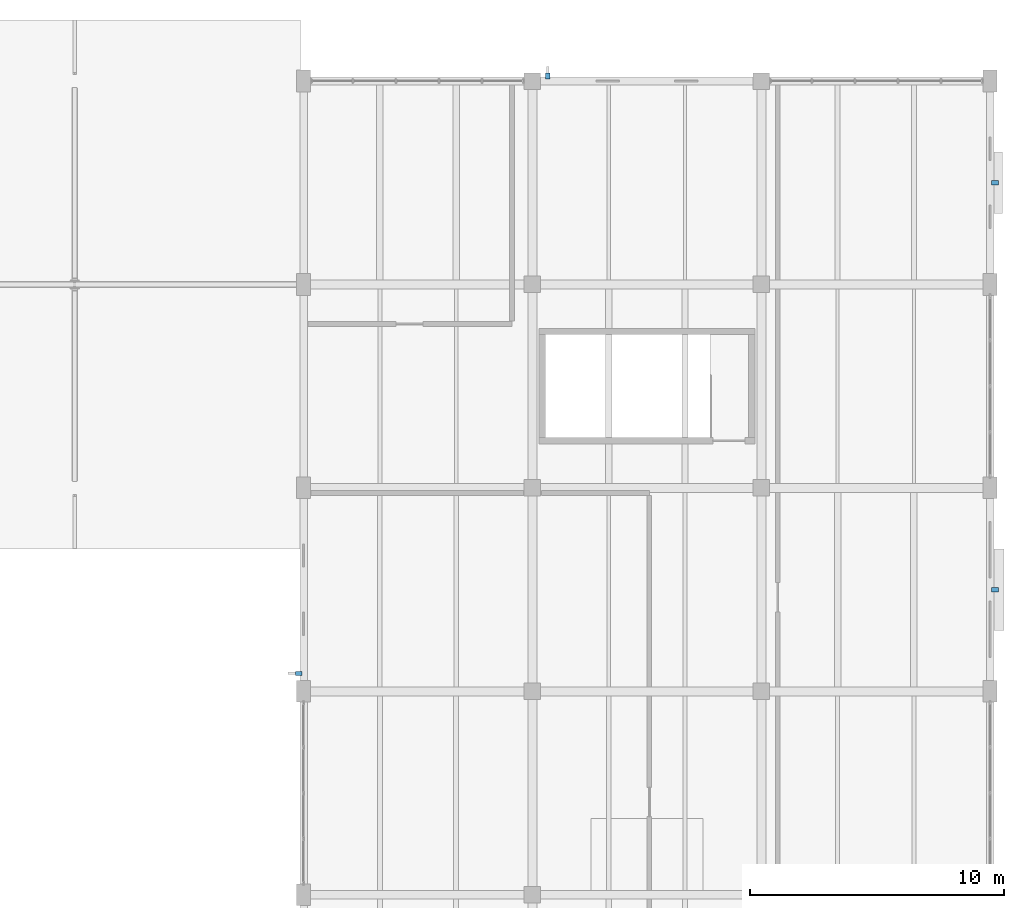
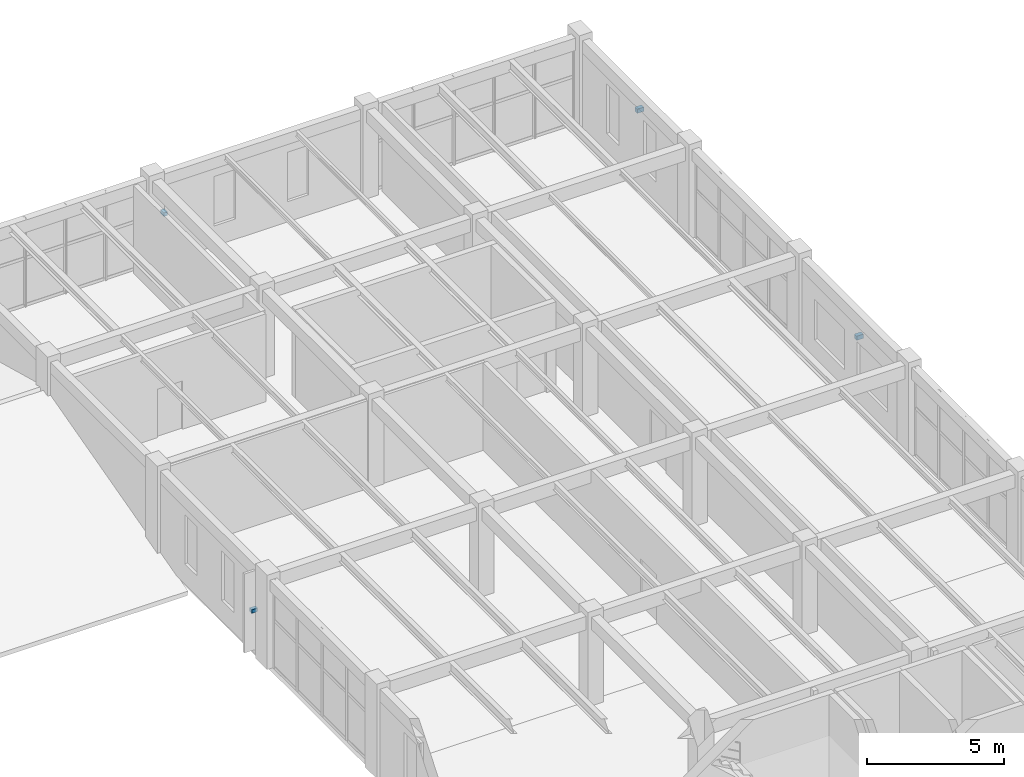
# One storey, part 67 of 71: 4 discrete accessories.
"""IFC4 building model written with IfcOpenShell, lengths in metres."""

from ifc_helpers import new_model, si_unit, derived_unit, direction, frame, origin, origin_2d, place, context, subcontext, project, spatial, rectangle, extrude, material, type_object, element, save


model = new_model("IFC4")

# Units and contexts
model_context = context("Model", 3, precision=1e-05, world=origin(), true_north=direction((0.0, 1.0)))
body_context = subcontext(model_context, "Body", "Model", "MODEL_VIEW")
ifc_project = project(units=[si_unit("LENGTHUNIT", "METRE"), si_unit("AREAUNIT", "SQUARE_METRE"), si_unit("VOLUMEUNIT", "CUBIC_METRE"), si_unit("PLANEANGLEUNIT", "RADIAN"), si_unit("MASSUNIT", "GRAM", prefix="KILO"), derived_unit("THERMALTRANSMITTANCEUNIT", [(si_unit("MASSUNIT", "GRAM", prefix="KILO"), 1), (si_unit("TIMEUNIT", "SECOND"), -3), (si_unit("THERMODYNAMICTEMPERATUREUNIT", "KELVIN"), -1)])], contexts=[model_context])

# Site, building, storey
site_placement = place(None, origin())
site = spatial("IfcSite", under=ifc_project, at=site_placement, CompositionType="ELEMENT")
building_placement = place(site_placement, origin())
building = spatial("IfcBuilding", under=site, at=building_placement, Name="Zhenchuan Archway Interchange", CompositionType="ELEMENT")
storey_placement = place(building_placement, frame((0.0, 0.0, 18.60009765625)))
storey = spatial("IfcBuildingStorey", under=building, at=storey_placement, Name="L04", CompositionType="ELEMENT", Elevation=18.60009765625)

# Discrete accessories
ifc_material = material(Name="Stainless Steel 316", Category="steel")
discrete_accessory_type_1 = type_object("IfcDiscreteAccessoryType", Name="BRK_SHD_1", PredefinedType="BRACKET", material=ifc_material)
for number, where, z_axis, x_axis, name in (
    (1, (143.81005859375, 80.702880859375, 1.8798828125), (0.0, 0.0, 1.0), (0.0, 1.0, 0.0), "Solar fin stainless fixing bracket L04-131"),
    (2, (153.60302734375, 104.18994140625, 1.8798828125), (0.0, 0.0, 1.0), (1.0, 0.0, 0.0), "Solar fin stainless fixing bracket L04-132"),
):
    element("IfcDiscreteAccessory", number, at=place(storey_placement, frame(where, z_axis=z_axis, x_axis=x_axis)), inside=storey, type_object=discrete_accessory_type_1, Name=name, PredefinedType="BRACKET", context=body_context, shape_type="SweptSolid", body=[
        extrude(rectangle(XDim=0.159912109375, YDim=0.239990234375, at=origin_2d()), origin(), (0.0, 0.0, 1.0), 0.159912109375),
    ])
discrete_accessory_type_2 = type_object("IfcDiscreteAccessoryType", Name="BRK_SHD_2", PredefinedType="BRACKET", material=ifc_material)
for number, where, z_axis, x_axis, name in (
    (3, (171.18994140625, 100.0, 2.85986328125), (0.0, 0.0, 1.0), (0.0, -1.0, 0.0), "Storm-louvre stainless fixing bracket L04-133"),
    (4, (171.18994140625, 84.0, 2.4599609375), (0.0, 0.0, 1.0), (0.0, -1.0, 0.0), "Storm-louvre stainless fixing bracket L04-134"),
):
    element("IfcDiscreteAccessory", number, at=place(storey_placement, frame(where, z_axis=z_axis, x_axis=x_axis)), inside=storey, type_object=discrete_accessory_type_2, Name=name, PredefinedType="BRACKET", context=body_context, shape_type="SweptSolid", body=[
        extrude(rectangle(XDim=0.179931640625, YDim=0.280029296875, at=origin_2d()), origin(), (0.0, 0.0, 1.0), 0.179931640625),
    ])

save(model, "model.ifc")
